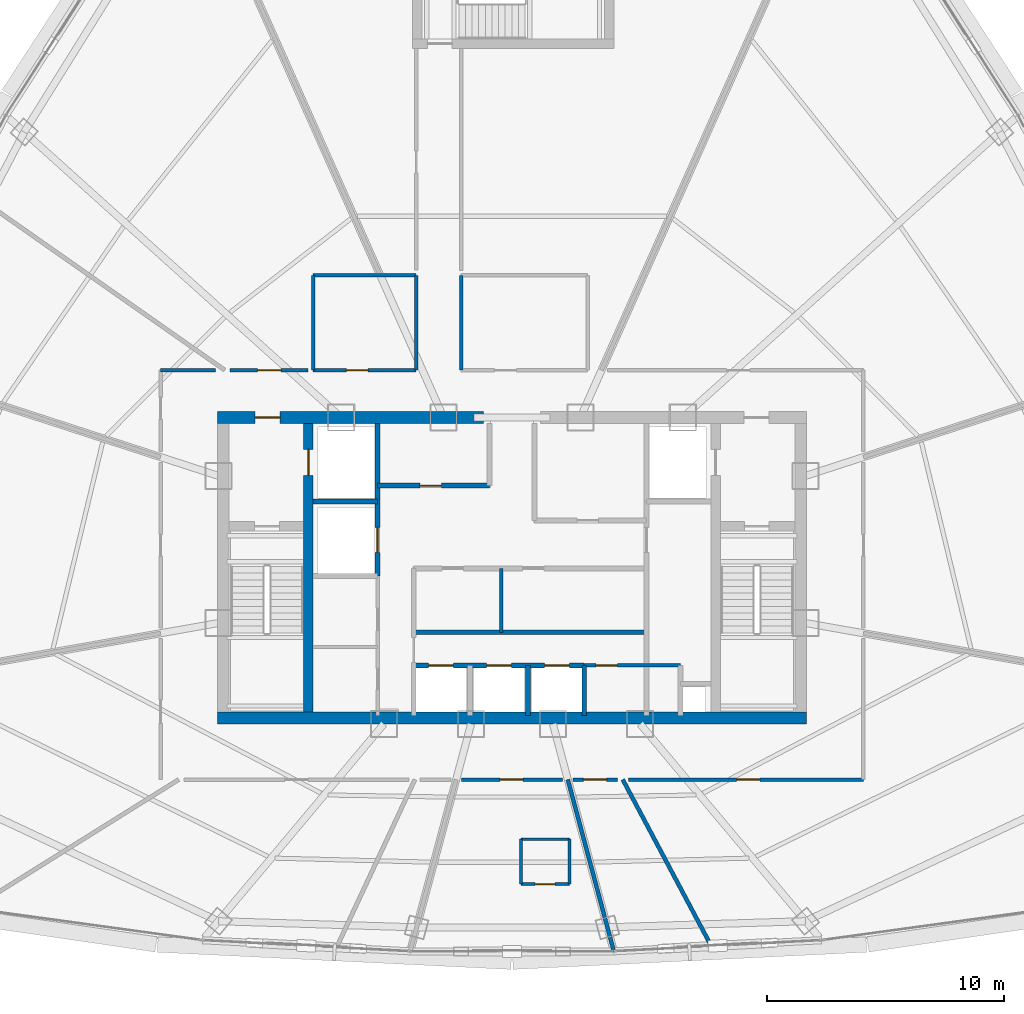
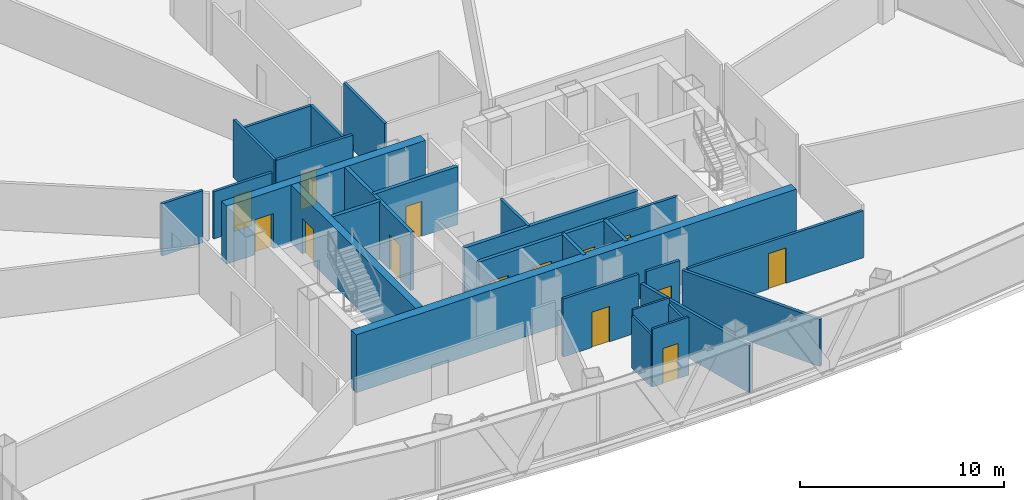
# One storey, part 30 of 36: 28 walls, 14 doors, 14 openings.
"""IFC4 building model written with IfcOpenShell, lengths in metres."""

from ifc_helpers import new_model, si_unit, direction, frame, frame_2d, origin, origin_with_axes, place, context, subcontext, project, spatial, rectangle, extrude, source, transform, mapped, material, layer, layer_set, type_object, element, fill, save


model = new_model("IFC4")

# Units and contexts
model_context = context("Model", 3, precision=1e-05, world=origin(), true_north=direction((0.0, 1.0)))
body_context = subcontext(model_context, "Body", "Model", "MODEL_VIEW")
ifc_project = project(units=[si_unit("LENGTHUNIT", "METRE"), si_unit("AREAUNIT", "SQUARE_METRE"), si_unit("VOLUMEUNIT", "CUBIC_METRE"), si_unit("PLANEANGLEUNIT", "RADIAN"), si_unit("MASSUNIT", "GRAM", prefix="KILO"), si_unit("THERMODYNAMICTEMPERATUREUNIT", "KELVIN"), si_unit("POWERUNIT", "WATT")], contexts=[model_context])

# Site, building, storey
site_placement = place(None, origin())
site = spatial("IfcSite", under=ifc_project, at=site_placement, CompositionType="ELEMENT")
building_placement = place(site_placement, origin())
building = spatial("IfcBuilding", under=site, at=building_placement, Name="Yunzhuo Pagoda Commons", CompositionType="ELEMENT")
storey_placement = place(building_placement, frame((0.0, 0.0, 263.179931640625)))
storey = spatial("IfcBuildingStorey", under=building, at=storey_placement, Name="L66", CompositionType="ELEMENT", Elevation=263.179931640625)

# Wall
ifc_material_1 = material(Name="Concrete C50", Category="concrete")
ifc_layer_1 = layer(ifc_material_1, 0.5)
ifc_layer_set_1 = layer_set([ifc_layer_1], Name="Concrete C50")
wall_type_1 = type_object("IfcWallType", Name="W-C03 Upper Core Shear Wall 500", PredefinedType="SHEAR", material=ifc_layer_set_1)
wall_1_placement = place(storey_placement, frame((35.550048828125, 27.5, 0.0), z_axis=(0.0, 0.0, 1.0), x_axis=(1.0, 0.0, 0.0)))
element("IfcWall", 1, at=wall_1_placement, inside=storey, type_object=wall_type_1, Name="L66 core shear wall S", PredefinedType="SHEAR", context=body_context, shape_type="SweptSolid", body=[
    extrude(rectangle(XDim=24.89990234375, YDim=0.5, at=frame_2d((12.449951171875, 0.0))), origin(), (0.0, 0.0, 1.0), 3.469970703125),
])

# Wall, opening, door
wall_2_placement = place(storey_placement, frame((35.550048828125, 40.199951171875, 0.0), z_axis=(0.0, 0.0, 1.0), x_axis=(1.0, 0.0, 0.0)))
wall_2 = element("IfcWall", 2, at=wall_2_placement, inside=storey, type_object=wall_type_1, Name="L66 core shear wall NW", PredefinedType="SHEAR", context=body_context, shape_type="SweptSolid", body=[
    extrude(rectangle(XDim=11.25, YDim=0.5, at=frame_2d((5.625, 0.0))), origin(), (0.0, 0.0, 1.0), 3.469970703125),
])
opening_1_placement = place(wall_2_placement, frame((1.60009765625, 0.0, 0.0)))
opening_1 = element("IfcOpeningElement", 3, at=opening_1_placement, cuts=wall_2, Name="Opening D-02", PredefinedType="OPENING", context=body_context, shape_type="SweptSolid", body=[
    extrude(rectangle(XDim=1.050048828125, YDim=2.10009765625, at=frame_2d((0.52490234375, 1.050048828125))), frame((0.0, 0.260009765625, 0.0), z_axis=(0.0, -1.0, 0.0), x_axis=(1.0, 0.0, 0.0)), (0.0, 0.0, 1.0), 0.52001953125),
])
ifc_material_2 = material(Name="Galvanized fire-resisting metal leaf")
door_type_1 = type_object("IfcDoorType", Name="D-02 Firefighting Lobby & Refuge Fire Door 1050x2100", OperationType="NOTDEFINED", PredefinedType="DOOR", material=ifc_material_2)
shared_shape_1 = source(origin(), body_context, "Body", "SweptSolid", [
    extrude(rectangle(XDim=1.050048828125, YDim=2.10009765625, at=frame_2d((0.52490234375, 1.050048828125))), frame((0.0, 0.02490234375, 0.0), z_axis=(0.0, -1.0, 0.0), x_axis=(1.0, 0.0, 0.0)), (0.0, 0.0, 1.0), 0.050048828125),
])
door_1_placement = place(opening_1_placement, frame((1.050048828125, 0.0, 0.0), z_axis=(0.0, 0.0, 1.0), x_axis=(-1.0, 0.0, 0.0)))
door_1 = element("IfcDoor", 4, at=door_1_placement, inside=storey, type_object=door_type_1, Name="L66 Firefighting Lobby 1 fire door", OperationType="SINGLE_SWING_LEFT", OverallHeight=2.10009765625, OverallWidth=1.050048828125, PredefinedType="DOOR", context=body_context, shape_type="MappedRepresentation", body=[
    mapped(shared_shape_1, transform((0.0, 0.0, 0.0), scale=1.0)),
])
fill(opening_1, door_1)

# Wall
ifc_material_3 = material(Name="Gypsum plasterboard on acoustic stud")
ifc_layer_2 = layer(ifc_material_3, 0.14990234375)
ifc_layer_set_2 = layer_set([ifc_layer_2], Name="Gypsum plasterboard on acoustic stud")
wall_type_2 = type_object("IfcWallType", Name="W-COR3 High-Zone Rated Corridor Wall 150", PredefinedType="PARTITIONING", material=ifc_layer_set_2)
wall_3_placement = place(storey_placement, frame((47.550048828125, 31.1201171875, 0.0), z_axis=(0.0, 0.0, 1.0), x_axis=(0.0, 1.0, 0.0)))
element("IfcWall", 5, at=wall_3_placement, inside=storey, type_object=wall_type_2, Name="L66 interior wall IW-L66-FRMD", PredefinedType="PARTITIONING", context=body_context, shape_type="SweptSolid", body=[
    extrude(rectangle(XDim=2.699951171875, YDim=0.14990234375, at=frame_2d((1.35009765625, 0.0))), origin(), (0.0, 0.0, 1.0), 3.469970703125),
])

# Wall, opening, door
wall_4_placement = place(storey_placement, frame((51.050048828125, 29.719970703125, 0.0), z_axis=(0.0, 0.0, 1.0), x_axis=(1.0, 0.0, 0.0)))
wall_4 = element("IfcWall", 6, at=wall_4_placement, inside=storey, type_object=wall_type_2, Name="L66 interior wall IW-L66-CSES", PredefinedType="PARTITIONING", context=body_context, shape_type="SweptSolid", body=[
    extrude(rectangle(XDim=4.070068359375, YDim=0.14990234375, at=frame_2d((2.03515625, 0.0))), origin(), (0.0, 0.0, 1.0), 3.469970703125),
])
opening_2_placement = place(wall_4_placement, frame((0.5, 0.0, 0.0)))
opening_2 = element("IfcOpeningElement", 7, at=opening_2_placement, cuts=wall_4, Name="Opening D-03", PredefinedType="OPENING", context=body_context, shape_type="SweptSolid", body=[
    extrude(rectangle(XDim=0.89990234375, YDim=2.10009765625, at=frame_2d((0.449951171875, 1.050048828125))), frame((0.0, 0.0849609375, 0.0), z_axis=(0.0, -1.0, 0.0), x_axis=(1.0, 0.0, 0.0)), (0.0, 0.0, 1.0), 0.169921875),
])
door_type_2 = type_object("IfcDoorType", Name="D-03 Core Service Fire Door 900x2100", OperationType="NOTDEFINED", PredefinedType="DOOR", material=ifc_material_2)
shared_shape_2 = source(origin(), body_context, "Body", "SweptSolid", [
    extrude(rectangle(XDim=0.89990234375, YDim=2.10009765625, at=frame_2d((0.449951171875, 1.050048828125))), frame((0.0, 0.02490234375, 0.0), z_axis=(0.0, -1.0, 0.0), x_axis=(1.0, 0.0, 0.0)), (0.0, 0.0, 1.0), 0.050048828125),
])
door_2_placement = place(opening_2_placement, origin_with_axes())
door_2 = element("IfcDoor", 8, at=door_2_placement, inside=storey, type_object=door_type_2, Name="L66 IT closet door", OperationType="SINGLE_SWING_LEFT", OverallHeight=2.10009765625, OverallWidth=0.89990234375, PredefinedType="DOOR", context=body_context, shape_type="MappedRepresentation", body=[
    mapped(shared_shape_2, transform((0.0, 0.0, 0.0), scale=1.0)),
])
fill(opening_2, door_2)

wall_5_placement = place(storey_placement, frame((39.60009765625, 42.199951171875, 0.0), z_axis=(0.0, 0.0, 1.0), x_axis=(1.0, 0.0, 0.0)))
wall_5 = element("IfcWall", 9, at=wall_5_placement, inside=storey, type_object=wall_type_2, Name="L66 interior wall IW-L66-TFWS", PredefinedType="PARTITIONING", context=body_context, shape_type="SweptSolid", body=[
    extrude(rectangle(XDim=4.349853515625, YDim=0.14990234375, at=frame_2d((2.1748046875, 0.0))), origin(), (0.0, 0.0, 1.0), 3.469970703125),
])
opening_3_placement = place(wall_5_placement, frame((1.39990234375, 0.0, 0.0)))
opening_3 = element("IfcOpeningElement", 10, at=opening_3_placement, cuts=wall_5, Name="Opening D-04", PredefinedType="OPENING", context=body_context, shape_type="SweptSolid", body=[
    extrude(rectangle(XDim=0.919921875, YDim=2.10009765625, at=frame_2d((0.4599609375, 1.050048828125))), frame((0.0, 0.0849609375, 0.0), z_axis=(0.0, -1.0, 0.0), x_axis=(1.0, 0.0, 0.0)), (0.0, 0.0, 1.0), 0.169921875),
])
ifc_material_4 = material(Name="Powder-coated aluminium and timber acoustic leaf", Category="wood")
door_type_3 = type_object("IfcDoorType", Name="D-04 Bedroom & Study Interior Door 920x2100", OperationType="NOTDEFINED", PredefinedType="DOOR", material=ifc_material_4)
shared_shape_3 = source(origin(), body_context, "Body", "SweptSolid", [
    extrude(rectangle(XDim=0.919921875, YDim=2.10009765625, at=frame_2d((0.4599609375, 1.050048828125))), frame((0.0, 0.02490234375, 0.0), z_axis=(0.0, -1.0, 0.0), x_axis=(1.0, 0.0, 0.0)), (0.0, 0.0, 1.0), 0.050048828125),
])
door_3_placement = place(opening_3_placement, frame((0.919921875, 0.0, 0.0), z_axis=(0.0, 0.0, 1.0), x_axis=(-1.0, 0.0, 0.0)))
door_3 = element("IfcDoor", 11, at=door_3_placement, inside=storey, type_object=door_type_3, Name="L66 laundry door", OperationType="SINGLE_SWING_LEFT", OverallHeight=2.10009765625, OverallWidth=0.919921875, PredefinedType="DOOR", context=body_context, shape_type="MappedRepresentation", body=[
    mapped(shared_shape_3, transform((0.0, 0.0, 0.0), scale=1.0)),
])
fill(opening_3, door_3)

# Walls
wall_6_placement = place(storey_placement, frame((39.60009765625, 46.199951171875, 0.0), z_axis=(0.0, 0.0, 1.0), x_axis=(1.0, 0.0, 0.0)))
element("IfcWall", 12, at=wall_6_placement, inside=storey, type_object=wall_type_2, Name="L66 interior wall IW-L66-TFWN", PredefinedType="PARTITIONING", context=body_context, shape_type="SweptSolid", body=[
    extrude(rectangle(XDim=4.349853515625, YDim=0.14990234375, at=frame_2d((2.1748046875, 0.0))), origin(), (0.0, 0.0, 1.0), 2.820068359375),
])
wall_7_placement = place(storey_placement, frame((39.60009765625, 42.199951171875, 0.0), z_axis=(0.0, 0.0, 1.0), x_axis=(0.0, 1.0, 0.0)))
element("IfcWall", 13, at=wall_7_placement, inside=storey, type_object=wall_type_2, Name="L66 interior wall IW-L66-TFWW", PredefinedType="PARTITIONING", context=body_context, shape_type="SweptSolid", body=[
    extrude(rectangle(XDim=4.0, YDim=0.14990234375, at=frame_2d((2.0, 0.0))), origin(), (0.0, 0.0, 1.0), 3.469970703125),
])
wall_8_placement = place(storey_placement, frame((43.949951171875, 42.199951171875, 0.0), z_axis=(0.0, 0.0, 1.0), x_axis=(0.0, 1.0, 0.0)))
element("IfcWall", 14, at=wall_8_placement, inside=storey, type_object=wall_type_2, Name="L66 interior wall IW-L66-TFWE", PredefinedType="PARTITIONING", context=body_context, shape_type="SweptSolid", body=[
    extrude(rectangle(XDim=4.0, YDim=0.14990234375, at=frame_2d((2.0, 0.0))), origin(), (0.0, 0.0, 1.0), 2.820068359375),
])
wall_9_placement = place(storey_placement, frame((45.85009765625, 42.199951171875, 0.0), z_axis=(0.0, 0.0, 1.0), x_axis=(0.0, 1.0, 0.0)))
element("IfcWall", 15, at=wall_9_placement, inside=storey, type_object=wall_type_2, Name="L66 interior wall IW-L66-TFEW", PredefinedType="PARTITIONING", context=body_context, shape_type="SweptSolid", body=[
    extrude(rectangle(XDim=4.0, YDim=0.14990234375, at=frame_2d((2.0, 0.0))), origin(), (0.0, 0.0, 1.0), 3.469970703125),
])
wall_10_placement = place(storey_placement, frame((33.14990234375, 42.199951171875, 0.0), z_axis=(0.0, 0.0, 1.0), x_axis=(1.0, 0.0, 0.0)))
element("IfcWall", 16, at=wall_10_placement, inside=storey, type_object=wall_type_2, Name="L66 interior wall IW-L66-CWL04", PredefinedType="PARTITIONING", context=body_context, shape_type="SweptSolid", body=[
    extrude(rectangle(XDim=2.3271484375, YDim=0.14990234375, at=frame_2d((1.16357421875, 0.0))), origin(), (0.0, 0.0, 1.0), 3.1201171875),
])

# Wall, opening, door
wall_11_placement = place(storey_placement, frame((36.08056640625, 42.199951171875, 0.0), z_axis=(0.0, 0.0, 1.0), x_axis=(1.0, 0.0, 0.0)))
wall_11 = element("IfcWall", 17, at=wall_11_placement, inside=storey, type_object=wall_type_2, Name="L66 interior wall IW-L66-CWL05", PredefinedType="PARTITIONING", context=body_context, shape_type="SweptSolid", body=[
    extrude(rectangle(XDim=3.29931640625, YDim=0.14990234375, at=frame_2d((1.649658203125, 0.0))), origin(), (0.0, 0.0, 1.0), 2.820068359375),
])
opening_4_placement = place(wall_11_placement, frame((1.1748046875, 0.0, 0.0)))
opening_4 = element("IfcOpeningElement", 18, at=opening_4_placement, cuts=wall_11, Name="Opening D-08", PredefinedType="OPENING", context=body_context, shape_type="SweptSolid", body=[
    extrude(rectangle(XDim=0.97998046875, YDim=2.1201171875, at=frame_2d((0.489990234375, 1.06005859375))), frame((0.0, 0.0849609375, 0.0), z_axis=(0.0, -1.0, 0.0), x_axis=(1.0, 0.0, 0.0)), (0.0, 0.0, 1.0), 0.169921875),
])
door_type_4 = type_object("IfcDoorType", Name="D-08 High-Zone Suite Entrance Fire Door 980x2120", OperationType="NOTDEFINED", PredefinedType="DOOR", material=ifc_material_2)
shared_shape_4 = source(origin(), body_context, "Body", "SweptSolid", [
    extrude(rectangle(XDim=0.97998046875, YDim=2.1201171875, at=frame_2d((0.489990234375, 1.06005859375))), frame((0.0, 0.02490234375, 0.0), z_axis=(0.0, -1.0, 0.0), x_axis=(1.0, 0.0, 0.0)), (0.0, 0.0, 1.0), 0.050048828125),
])
door_4_placement = place(opening_4_placement, origin_with_axes())
door_4 = element("IfcDoor", 19, at=door_4_placement, inside=storey, type_object=door_type_4, Name="L66 Resident Co-Living Commons Hall door", OperationType="SINGLE_SWING_LEFT", OverallHeight=2.1201171875, OverallWidth=0.97998046875, PredefinedType="DOOR", context=body_context, shape_type="MappedRepresentation", body=[
    mapped(shared_shape_4, transform((0.0, 0.0, 0.0), scale=1.0)),
])
fill(opening_4, door_4)

wall_12_placement = place(storey_placement, frame((62.85009765625, 24.89990234375, 0.0), z_axis=(0.0, 0.0, 1.0), x_axis=(-1.0, 0.0, 0.0)))
wall_12 = element("IfcWall", 20, at=wall_12_placement, inside=storey, type_object=wall_type_2, Name="L66 interior wall IW-L66-CWL12", PredefinedType="PARTITIONING", context=body_context, shape_type="SweptSolid", body=[
    extrude(rectangle(XDim=9.921875, YDim=0.14990234375, at=frame_2d((4.9609375, 0.0))), origin(), (0.0, 0.0, 1.0), 2.820068359375),
])
opening_5_placement = place(wall_12_placement, frame((4.380615234375, 0.0, 0.0)))
opening_5 = element("IfcOpeningElement", 21, at=opening_5_placement, cuts=wall_12, Name="Opening D-08", PredefinedType="OPENING", context=body_context, shape_type="SweptSolid", body=[
    extrude(rectangle(XDim=0.97998046875, YDim=2.1201171875, at=frame_2d((0.489990234375, 1.06005859375))), frame((0.0, 0.0849609375, 0.0), z_axis=(0.0, -1.0, 0.0), x_axis=(1.0, 0.0, 0.0)), (0.0, 0.0, 1.0), 0.169921875),
])
door_5_placement = place(opening_5_placement, origin_with_axes())
door_5 = element("IfcDoor", 22, at=door_5_placement, inside=storey, type_object=door_type_4, Name="L66 Academic Reading Commons 3 door", OperationType="SINGLE_SWING_LEFT", OverallHeight=2.1201171875, OverallWidth=0.97998046875, PredefinedType="DOOR", context=body_context, shape_type="MappedRepresentation", body=[
    mapped(shared_shape_4, transform((0.0, 0.0, 0.0), scale=1.0)),
])
fill(opening_5, door_5)

wall_13_placement = place(storey_placement, frame((52.458984375, 24.89990234375, 0.0), z_axis=(0.0, 0.0, 1.0), x_axis=(-1.0, 0.0, 0.0)))
wall_13 = element("IfcWall", 23, at=wall_13_placement, inside=storey, type_object=wall_type_2, Name="L66 interior wall IW-L66-CWL13", PredefinedType="PARTITIONING", context=body_context, shape_type="SweptSolid", body=[
    extrude(rectangle(XDim=1.873291015625, YDim=0.14990234375, at=frame_2d((0.9365234375, 0.0))), origin(), (0.0, 0.0, 1.0), 3.469970703125),
])
opening_6_placement = place(wall_13_placement, frame((0.465576171875, 0.0, 0.0)))
opening_6 = element("IfcOpeningElement", 24, at=opening_6_placement, cuts=wall_13, Name="Opening D-08", PredefinedType="OPENING", context=body_context, shape_type="SweptSolid", body=[
    extrude(rectangle(XDim=0.97998046875, YDim=2.1201171875, at=frame_2d((0.489990234375, 1.06005859375))), frame((0.0, 0.0849609375, 0.0), z_axis=(0.0, -1.0, 0.0), x_axis=(1.0, 0.0, 0.0)), (0.0, 0.0, 1.0), 0.169921875),
])
door_6_placement = place(opening_6_placement, origin_with_axes())
door_6 = element("IfcDoor", 25, at=door_6_placement, inside=storey, type_object=door_type_4, Name="L66 unit 11 entrance door", OperationType="SINGLE_SWING_RIGHT", OverallHeight=2.1201171875, OverallWidth=0.97998046875, PredefinedType="DOOR", context=body_context, shape_type="MappedRepresentation", body=[
    mapped(shared_shape_4, transform((0.0, 0.0, 0.0), scale=1.0)),
])
fill(opening_6, door_6)

wall_14_placement = place(storey_placement, frame((50.13818359375, 24.89990234375, 0.0), z_axis=(0.0, 0.0, 1.0), x_axis=(-1.0, 0.0, 0.0)))
wall_14 = element("IfcWall", 26, at=wall_14_placement, inside=storey, type_object=wall_type_2, Name="L66 interior wall IW-L66-CWL14", PredefinedType="PARTITIONING", context=body_context, shape_type="SweptSolid", body=[
    extrude(rectangle(XDim=4.2763671875, YDim=0.14990234375, at=frame_2d((2.13818359375, 0.0))), origin(), (0.0, 0.0, 1.0), 3.469970703125),
])
opening_7_placement = place(wall_14_placement, frame((1.6630859375, 0.0, 0.0)))
opening_7 = element("IfcOpeningElement", 27, at=opening_7_placement, cuts=wall_14, Name="Opening D-08", PredefinedType="OPENING", context=body_context, shape_type="SweptSolid", body=[
    extrude(rectangle(XDim=0.97998046875, YDim=2.1201171875, at=frame_2d((0.489990234375, 1.06005859375))), frame((0.0, 0.0849609375, 0.0), z_axis=(0.0, -1.0, 0.0), x_axis=(1.0, 0.0, 0.0)), (0.0, 0.0, 1.0), 0.169921875),
])
door_7_placement = place(opening_7_placement, origin_with_axes())
door_7 = element("IfcDoor", 28, at=door_7_placement, inside=storey, type_object=door_type_4, Name="L66 unit 10 entrance door", OperationType="SINGLE_SWING_LEFT", OverallHeight=2.1201171875, OverallWidth=0.97998046875, PredefinedType="DOOR", context=body_context, shape_type="MappedRepresentation", body=[
    mapped(shared_shape_4, transform((0.0, 0.0, 0.0), scale=1.0)),
])
fill(opening_7, door_7)

ifc_layer_3 = layer(ifc_material_3, 0.1201171875)
ifc_layer_set_3 = layer_set([ifc_layer_3], Name="Gypsum plasterboard on acoustic stud")
wall_type_3 = type_object("IfcWallType", Name="W-PRT1 Suite & Bathroom Partition 120", PredefinedType="PARTITIONING", material=ifc_layer_set_3)
wall_15_placement = place(storey_placement, frame((48.3740234375, 20.47900390625, 0.0), z_axis=(0.0, 0.0, 1.0), x_axis=(1.0, 0.0, 0.0)))
wall_15 = element("IfcWall", 29, at=wall_15_placement, inside=storey, type_object=wall_type_3, Name="L66 interior wall IW-L66-B10S", PredefinedType="PARTITIONING", context=body_context, shape_type="SweptSolid", body=[
    extrude(rectangle(XDim=2.050048828125, YDim=0.1201171875, at=frame_2d((1.02490234375, 0.0))), origin(), (0.0, 0.0, 1.0), 3.469970703125),
])
opening_8_placement = place(wall_15_placement, frame((0.60009765625, 0.0, 0.0)))
opening_8 = element("IfcOpeningElement", 30, at=opening_8_placement, cuts=wall_15, Name="Opening D-05", PredefinedType="OPENING", context=body_context, shape_type="SweptSolid", body=[
    extrude(rectangle(XDim=0.85009765625, YDim=2.10009765625, at=frame_2d((0.425048828125, 1.050048828125))), frame((0.0, 0.070068359375, 0.0), z_axis=(0.0, -1.0, 0.0), x_axis=(1.0, 0.0, 0.0)), (0.0, 0.0, 1.0), 0.14013671875),
])
door_type_5 = type_object("IfcDoorType", Name="D-05 En-Suite Bathroom Door 850x2100", OperationType="NOTDEFINED", PredefinedType="DOOR", material=ifc_material_4)
shared_shape_5 = source(origin(), body_context, "Body", "SweptSolid", [
    extrude(rectangle(XDim=0.85009765625, YDim=2.10009765625, at=frame_2d((0.425048828125, 1.050048828125))), frame((0.0, 0.02490234375, 0.0), z_axis=(0.0, -1.0, 0.0), x_axis=(1.0, 0.0, 0.0)), (0.0, 0.0, 1.0), 0.050048828125),
])
door_8_placement = place(opening_8_placement, frame((0.85009765625, 0.0, 0.0), z_axis=(0.0, 0.0, 1.0), x_axis=(-1.0, 0.0, 0.0)))
door_8 = element("IfcDoor", 31, at=door_8_placement, inside=storey, type_object=door_type_5, Name="L66 unit 10 bathroom door", OperationType="SINGLE_SWING_LEFT", OverallHeight=2.10009765625, OverallWidth=0.85009765625, PredefinedType="DOOR", context=body_context, shape_type="MappedRepresentation", body=[
    mapped(shared_shape_5, transform((0.0, 0.0, 0.0), scale=1.0)),
])
fill(opening_8, door_8)

# Walls
wall_16_placement = place(storey_placement, frame((50.424072265625, 20.47900390625, 0.0), z_axis=(0.0, 0.0, 1.0), x_axis=(0.0, 1.0, 0.0)))
element("IfcWall", 32, at=wall_16_placement, inside=storey, type_object=wall_type_3, Name="L66 interior wall IW-L66-B10E", PredefinedType="PARTITIONING", context=body_context, shape_type="SweptSolid", body=[
    extrude(rectangle(XDim=1.89990234375, YDim=0.1201171875, at=frame_2d((0.949951171875, 0.0))), origin(), (0.0, 0.0, 1.0), 3.1201171875),
])
wall_17_placement = place(storey_placement, frame((50.424072265625, 22.37890625, 0.0), z_axis=(0.0, 0.0, 1.0), x_axis=(-1.0, 0.0, 0.0)))
element("IfcWall", 33, at=wall_17_placement, inside=storey, type_object=wall_type_3, Name="L66 interior wall IW-L66-B10N", PredefinedType="PARTITIONING", context=body_context, shape_type="SweptSolid", body=[
    extrude(rectangle(XDim=2.050048828125, YDim=0.1201171875, at=frame_2d((1.02490234375, 0.0))), origin(), (0.0, 0.0, 1.0), 3.469970703125),
])
wall_18_placement = place(storey_placement, frame((48.3740234375, 22.37890625, 0.0), z_axis=(0.0, 0.0, 1.0), x_axis=(0.0, -1.0, 0.0)))
element("IfcWall", 34, at=wall_18_placement, inside=storey, type_object=wall_type_3, Name="L66 interior wall IW-L66-B10W", PredefinedType="PARTITIONING", context=body_context, shape_type="SweptSolid", body=[
    extrude(rectangle(XDim=1.89990234375, YDim=0.1201171875, at=frame_2d((0.949951171875, 0.0))), origin(), (0.0, 0.0, 1.0), 3.1201171875),
])
ifc_layer_4 = layer(ifc_material_3, 0.169921875)
ifc_layer_set_4 = layer_set([ifc_layer_4], Name="Gypsum plasterboard on acoustic stud")
wall_type_4 = type_object("IfcWallType", Name="W-PRT4 High-Zone Demising Wall 170", PredefinedType="PARTITIONING", material=ifc_layer_set_4)
wall_19_placement = place(storey_placement, frame((50.35791015625, 24.89990234375, 0.0), z_axis=(0.0, 0.0, 1.0), x_axis=(0.258810769147, -0.965928043787, 0.0)))
element("IfcWall", 35, at=wall_19_placement, inside=storey, type_object=wall_type_4, Name="L66 interior wall IW-L66-RAD10", PredefinedType="PARTITIONING", context=body_context, shape_type="SweptSolid", body=[
    extrude(rectangle(XDim=7.516357421875, YDim=0.169921875, at=frame_2d((3.75830078125, 0.0))), origin(), (0.0, 0.0, 1.0), 2.820068359375),
])
wall_20_placement = place(storey_placement, frame((52.678955078125, 24.89990234375, 0.0), z_axis=(0.0, 0.0, 1.0), x_axis=(0.469475347358, -0.882945580556, 0.0)))
element("IfcWall", 36, at=wall_20_placement, inside=storey, type_object=wall_type_4, Name="L66 interior wall IW-L66-RAD11", PredefinedType="PARTITIONING", context=body_context, shape_type="SweptSolid", body=[
    extrude(rectangle(XDim=7.97314453125, YDim=0.169921875, at=frame_2d((3.986572265625, 0.0))), origin(), (0.0, 0.0, 1.0), 2.820068359375),
])

# Wall, opening, door
ifc_material_5 = material(Name="Concrete C60", Category="concrete")
ifc_layer_5 = layer(ifc_material_5, 0.39990234375)
ifc_layer_set_5 = layer_set([ifc_layer_5], Name="Concrete C60")
wall_type_5 = type_object("IfcWallType", Name="W-S01 Internal Core Shear Web 400", PredefinedType="SHEAR", material=ifc_layer_set_5)
wall_21_placement = place(storey_placement, frame((39.39990234375, 27.75, 0.0), z_axis=(0.0, 0.0, 1.0), x_axis=(0.0, 1.0, 0.0)))
wall_21 = element("IfcWall", 37, at=wall_21_placement, inside=storey, type_object=wall_type_5, Name="L66 core shear wall WEBW", PredefinedType="SHEAR", context=body_context, shape_type="SweptSolid", body=[
    extrude(rectangle(XDim=12.199951171875, YDim=0.39990234375, at=frame_2d((6.10009765625, 0.0))), origin(), (0.0, 0.0, 1.0), 3.469970703125),
])
opening_9_placement = place(wall_21_placement, frame((10.0, 0.0, 0.0)))
opening_9 = element("IfcOpeningElement", 38, at=opening_9_placement, cuts=wall_21, Name="Opening LD-01", PredefinedType="OPENING", context=body_context, shape_type="SweptSolid", body=[
    extrude(rectangle(XDim=1.10009765625, YDim=2.10009765625, at=frame_2d((0.550048828125, 1.050048828125))), frame((0.0, 0.2099609375, 0.0), z_axis=(0.0, -1.0, 0.0), x_axis=(1.0, 0.0, 0.0)), (0.0, 0.0, 1.0), 0.419921875),
])
door_type_6 = type_object("IfcDoorType", Name="LD-01 Firefighting Lift Landing Door 1100x2100", OperationType="DOUBLE_DOOR_SLIDING", PredefinedType="DOOR", material=ifc_material_2)
shared_shape_6 = source(origin(), body_context, "Body", "SweptSolid", [
    extrude(rectangle(XDim=1.10009765625, YDim=2.10009765625, at=frame_2d((0.550048828125, 1.050048828125))), frame((0.0, 0.02490234375, 0.0), z_axis=(0.0, -1.0, 0.0), x_axis=(1.0, 0.0, 0.0)), (0.0, 0.0, 1.0), 0.050048828125),
])
door_9_placement = place(opening_9_placement, frame((1.10009765625, 0.0, 0.0), z_axis=(0.0, 0.0, 1.0), x_axis=(-1.0, 0.0, 0.0)))
door_9 = element("IfcDoor", 39, at=door_9_placement, inside=storey, type_object=door_type_6, Name="L66 Firefighting lift FL-1 landing door", OperationType="DOUBLE_DOOR_SLIDING", OverallHeight=2.10009765625, OverallWidth=1.10009765625, PredefinedType="DOOR", context=body_context, shape_type="MappedRepresentation", body=[
    mapped(shared_shape_6, transform((0.0, 0.0, 0.0), scale=1.0)),
])
fill(opening_9, door_9)

ifc_material_6 = material(Name="Concrete C40", Category="concrete")
ifc_layer_6 = layer(ifc_material_6, 0.199951171875)
ifc_layer_set_6 = layer_set([ifc_layer_6], Name="Concrete C40")
wall_type_6 = type_object("IfcWallType", Name="W-SHF Shaft & Stair Enclosure Wall 200", PredefinedType="SOLIDWALL", material=ifc_layer_set_6)
wall_22_placement = place(storey_placement, frame((42.320068359375, 33.5, 0.0), z_axis=(0.0, 0.0, 1.0), x_axis=(0.0, 1.0, 0.0)))
wall_22 = element("IfcWall", 40, at=wall_22_placement, inside=storey, type_object=wall_type_6, Name="L66 interior wall IW-L66-FL1E", PredefinedType="SOLIDWALL", context=body_context, shape_type="SweptSolid", body=[
    extrude(rectangle(XDim=6.449951171875, YDim=0.199951171875, at=frame_2d((3.22509765625, 0.0))), origin(), (0.0, 0.0, 1.0), 3.469970703125),
])
opening_10_placement = place(wall_22_placement, frame((1.0, 0.0, 0.0)))
opening_10 = element("IfcOpeningElement", 41, at=opening_10_placement, cuts=wall_22, Name="Opening LD-02", PredefinedType="OPENING", context=body_context, shape_type="SweptSolid", body=[
    extrude(rectangle(XDim=1.050048828125, YDim=2.10009765625, at=frame_2d((0.52490234375, 1.050048828125))), frame((0.0, 0.10986328125, 0.0), z_axis=(0.0, -1.0, 0.0), x_axis=(1.0, 0.0, 0.0)), (0.0, 0.0, 1.0), 0.219970703125),
])
door_type_7 = type_object("IfcDoorType", Name="LD-02 Passenger Lift Landing Door 1050x2100", OperationType="DOUBLE_DOOR_SLIDING", PredefinedType="DOOR", material=ifc_material_2)
door_10_placement = place(opening_10_placement, origin_with_axes())
door_10 = element("IfcDoor", 42, at=door_10_placement, inside=storey, type_object=door_type_7, Name="L66 Service lift SL-1 landing door", OperationType="DOUBLE_DOOR_SLIDING", OverallHeight=2.10009765625, OverallWidth=1.050048828125, PredefinedType="DOOR", context=body_context, shape_type="MappedRepresentation", body=[
    mapped(shared_shape_1, transform((0.0, 0.0, 0.0), scale=1.0)),
])
fill(opening_10, door_10)

# Wall
wall_23_placement = place(storey_placement, frame((39.60009765625, 36.64990234375, 0.0), z_axis=(0.0, 0.0, 1.0), x_axis=(1.0, 0.0, 0.0)))
element("IfcWall", 43, at=wall_23_placement, inside=storey, type_object=wall_type_6, Name="L66 interior wall IW-L66-FL1S", PredefinedType="SOLIDWALL", context=body_context, shape_type="SweptSolid", body=[
    extrude(rectangle(XDim=2.719970703125, YDim=0.199951171875, at=frame_2d((1.35986328125, 0.0))), origin(), (0.0, 0.0, 1.0), 3.469970703125),
])

# Wall, opening, door
wall_24_placement = place(storey_placement, frame((42.320068359375, 37.320068359375, 0.0), z_axis=(0.0, 0.0, 1.0), x_axis=(1.0, 0.0, 0.0)))
wall_24 = element("IfcWall", 44, at=wall_24_placement, inside=storey, type_object=wall_type_6, Name="L66 interior wall IW-L66-LBNW", PredefinedType="SOLIDWALL", context=body_context, shape_type="SweptSolid", body=[
    extrude(rectangle(XDim=4.72998046875, YDim=0.199951171875, at=frame_2d((2.364990234375, 0.0))), origin(), (0.0, 0.0, 1.0), 3.469970703125),
])
opening_11_placement = place(wall_24_placement, frame((1.800048828125, 0.0, 0.0)))
opening_11 = element("IfcOpeningElement", 45, at=opening_11_placement, cuts=wall_24, Name="Opening D-03", PredefinedType="OPENING", context=body_context, shape_type="SweptSolid", body=[
    extrude(rectangle(XDim=0.89990234375, YDim=2.10009765625, at=frame_2d((0.449951171875, 1.050048828125))), frame((0.0, 0.10986328125, 0.0), z_axis=(0.0, -1.0, 0.0), x_axis=(1.0, 0.0, 0.0)), (0.0, 0.0, 1.0), 0.219970703125),
])
door_11_placement = place(opening_11_placement, frame((0.89990234375, 0.0, 0.0), z_axis=(0.0, 0.0, 1.0), x_axis=(-1.0, 0.0, 0.0)))
door_11 = element("IfcDoor", 46, at=door_11_placement, inside=storey, type_object=door_type_2, Name="L66 core west store door", OperationType="SINGLE_SWING_LEFT", OverallHeight=2.10009765625, OverallWidth=0.89990234375, PredefinedType="DOOR", context=body_context, shape_type="MappedRepresentation", body=[
    mapped(shared_shape_2, transform((0.0, 0.0, 0.0), scale=1.0)),
])
fill(opening_11, door_11)

# Wall, openings, doors
wall_25_placement = place(storey_placement, frame((43.85009765625, 29.719970703125, 0.0), z_axis=(0.0, 0.0, 1.0), x_axis=(1.0, 0.0, 0.0)))
wall_25 = element("IfcWall", 47, at=wall_25_placement, inside=storey, type_object=wall_type_6, Name="L66 interior wall IW-L66-PLHN", PredefinedType="SOLIDWALL", context=body_context, shape_type="SweptSolid", body=[
    extrude(rectangle(XDim=7.199951171875, YDim=0.199951171875, at=frame_2d((3.60009765625, 0.0))), origin(), (0.0, 0.0, 1.0), 3.469970703125),
])
opening_12_placement = place(wall_25_placement, frame((0.625, 0.0, 0.0)))
opening_12 = element("IfcOpeningElement", 48, at=opening_12_placement, cuts=wall_25, Name="Opening LD-02", PredefinedType="OPENING", context=body_context, shape_type="SweptSolid", body=[
    extrude(rectangle(XDim=1.050048828125, YDim=2.10009765625, at=frame_2d((0.52490234375, 1.050048828125))), frame((0.0, 0.10986328125, 0.0), z_axis=(0.0, -1.0, 0.0), x_axis=(1.0, 0.0, 0.0)), (0.0, 0.0, 1.0), 0.219970703125),
])
opening_13_placement = place(wall_25_placement, frame((3.074951171875, 0.0, 0.0)))
opening_13 = element("IfcOpeningElement", 49, at=opening_13_placement, cuts=wall_25, Name="Opening LD-02", PredefinedType="OPENING", context=body_context, shape_type="SweptSolid", body=[
    extrude(rectangle(XDim=1.050048828125, YDim=2.10009765625, at=frame_2d((0.52490234375, 1.050048828125))), frame((0.0, 0.10986328125, 0.0), z_axis=(0.0, -1.0, 0.0), x_axis=(1.0, 0.0, 0.0)), (0.0, 0.0, 1.0), 0.219970703125),
])
opening_14_placement = place(wall_25_placement, frame((5.52490234375, 0.0, 0.0)))
opening_14 = element("IfcOpeningElement", 50, at=opening_14_placement, cuts=wall_25, Name="Opening LD-02", PredefinedType="OPENING", context=body_context, shape_type="SweptSolid", body=[
    extrude(rectangle(XDim=1.050048828125, YDim=2.10009765625, at=frame_2d((0.52490234375, 1.050048828125))), frame((0.0, 0.10986328125, 0.0), z_axis=(0.0, -1.0, 0.0), x_axis=(1.0, 0.0, 0.0)), (0.0, 0.0, 1.0), 0.219970703125),
])
door_12_placement = place(opening_12_placement, origin_with_axes())
door_12 = element("IfcDoor", 51, at=door_12_placement, inside=storey, type_object=door_type_7, Name="L66 Passenger lift PL-H1 landing door", OperationType="DOUBLE_DOOR_SLIDING", OverallHeight=2.10009765625, OverallWidth=1.050048828125, PredefinedType="DOOR", context=body_context, shape_type="MappedRepresentation", body=[
    mapped(shared_shape_1, transform((0.0, 0.0, 0.0), scale=1.0)),
])
fill(opening_12, door_12)
door_13_placement = place(opening_13_placement, origin_with_axes())
door_13 = element("IfcDoor", 52, at=door_13_placement, inside=storey, type_object=door_type_7, Name="L66 Passenger lift PL-H2 landing door", OperationType="DOUBLE_DOOR_SLIDING", OverallHeight=2.10009765625, OverallWidth=1.050048828125, PredefinedType="DOOR", context=body_context, shape_type="MappedRepresentation", body=[
    mapped(shared_shape_1, transform((0.0, 0.0, 0.0), scale=1.0)),
])
fill(opening_13, door_13)
door_14_placement = place(opening_14_placement, origin_with_axes())
door_14 = element("IfcDoor", 53, at=door_14_placement, inside=storey, type_object=door_type_7, Name="L66 Passenger lift PL-H3 landing door", OperationType="DOUBLE_DOOR_SLIDING", OverallHeight=2.10009765625, OverallWidth=1.050048828125, PredefinedType="DOOR", context=body_context, shape_type="MappedRepresentation", body=[
    mapped(shared_shape_1, transform((0.0, 0.0, 0.0), scale=1.0)),
])
fill(opening_14, door_14)

# Walls
wall_26_placement = place(storey_placement, frame((51.050048828125, 27.60009765625, 0.0), z_axis=(0.0, 0.0, 1.0), x_axis=(0.0, 1.0, 0.0)))
element("IfcWall", 54, at=wall_26_placement, inside=storey, type_object=wall_type_6, Name="L66 interior wall IW-L66-PLHE", PredefinedType="SOLIDWALL", context=body_context, shape_type="SweptSolid", body=[
    extrude(rectangle(XDim=2.119873046875, YDim=0.199951171875, at=frame_2d((1.06005859375, 0.0))), origin(), (0.0, 0.0, 1.0), 3.469970703125),
])
wall_27_placement = place(storey_placement, frame((43.85009765625, 31.1201171875, 0.0), z_axis=(0.0, 0.0, 1.0), x_axis=(1.0, 0.0, 0.0)))
element("IfcWall", 55, at=wall_27_placement, inside=storey, type_object=wall_type_6, Name="L66 interior wall IW-L66-PLMS2", PredefinedType="SOLIDWALL", context=body_context, shape_type="SweptSolid", body=[
    extrude(rectangle(XDim=9.829833984375, YDim=0.199951171875, at=frame_2d((4.9150390625, 0.0))), origin(), (0.0, 0.0, 1.0), 3.469970703125),
])
wall_28_placement = place(storey_placement, frame((48.675048828125, 27.60009765625, 0.0), z_axis=(0.0, 0.0, 1.0), x_axis=(0.0, 1.0, 0.0)))
element("IfcWall", 56, at=wall_28_placement, inside=storey, type_object=wall_type_6, Name="L66 interior wall IW-L66-PLHD2", PredefinedType="SOLIDWALL", context=body_context, shape_type="SweptSolid", body=[
    extrude(rectangle(XDim=2.119873046875, YDim=0.199951171875, at=frame_2d((1.06005859375, 0.0))), origin(), (0.0, 0.0, 1.0), 3.469970703125),
])

save(model, "model.ifc")
